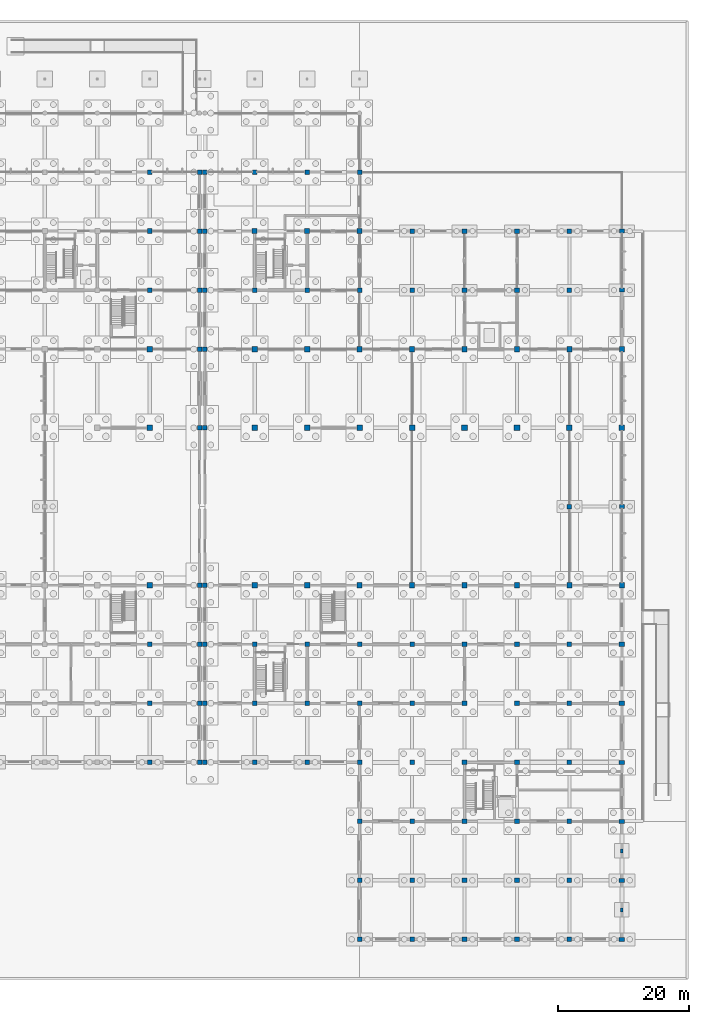
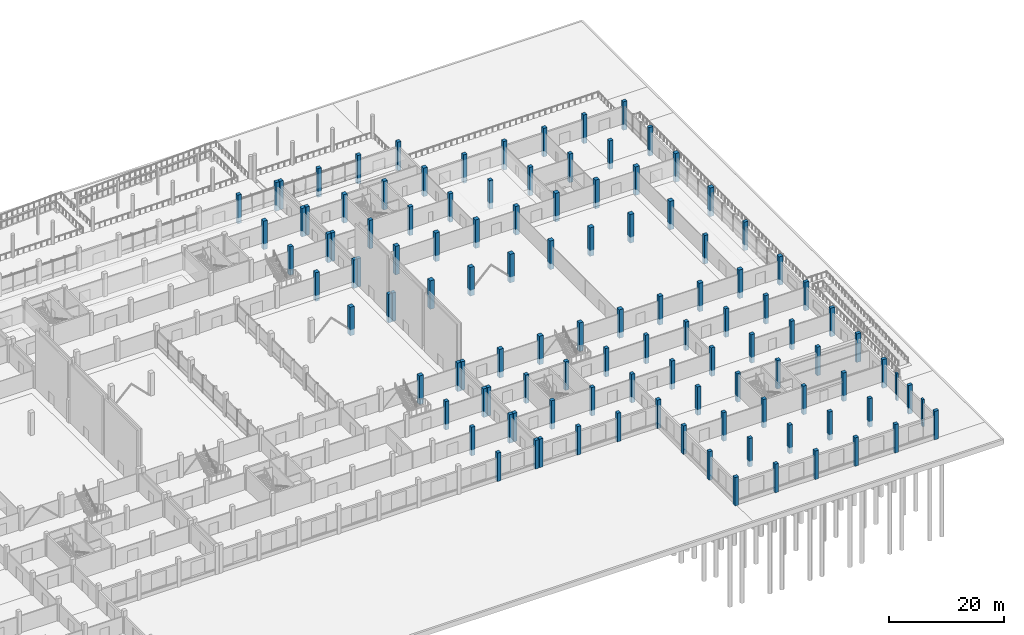
# One storey, part 14 of 72: 116 columns.
"""IFC4 building model written with IfcOpenShell, lengths in metres."""

import ifcopenshell
import ifcopenshell.guid

model = None  # the IFC model being written
_history = None  # IfcOwnerHistory: only IFC2X3 demands one
_inside = {}  # id of a spatial element -> (the spatial element, [elements in it])
_under = {}  # id of a project, library or spatial element -> (it, [spatial elements below it])
_declared = {}  # id of a project -> (the project, [libraries it declares])
_typed = {}  # id of a type object -> (the type object, [elements of that type])
_made_of = {}  # id of a material, layer set ... -> (it, [elements and type objects made of it])


def new_model(schema):
    """Start an empty IFC model of exactly this schema.

    Asked for "IFC4X3", IfcOpenShell would pick the latest addendum, in which some entities
    have other attributes; the version numbers below select the first issue.
    IFC2X3 requires an IfcOwnerHistory on every rooted entity: one is made here for all.
    """
    global model, _history
    if schema == "IFC4X3":
        model = ifcopenshell.file(schema_version=(4, 3, 0, 0))
    else:
        model = ifcopenshell.file(schema=schema)
    _inside.clear()
    _under.clear()
    _declared.clear()
    _typed.clear()
    _made_of.clear()
    _history = None
    if model.schema == "IFC2X3":
        org = make("IfcOrganization", Name="unknown")
        user = make(
            "IfcPersonAndOrganization",
            ThePerson=make("IfcPerson", FamilyName="unknown"),
            TheOrganization=org,
        )
        app = make(
            "IfcApplication",
            ApplicationDeveloper=org,
            Version="unknown",
            ApplicationFullName="unknown",
            ApplicationIdentifier="unknown",
        )
        _history = make(
            "IfcOwnerHistory",
            OwningUser=user,
            OwningApplication=app,
            ChangeAction="ADDED",
            CreationDate=0,
        )
    return model


def make(cls, **values):
    """One entity of the class cls with the attributes given. An attribute that is None is left unset."""
    return model.create_entity(
        cls, **{name: value for name, value in values.items() if value is not None}
    )


def rooted(cls, **values):
    """An entity with a GlobalId (a new one), such as an element, a storey or a relation."""
    return make(cls, GlobalId=ifcopenshell.guid.new(), OwnerHistory=_history, **values)


def si_unit(unit_type, name, prefix=None):
    """IfcSIUnit, for example si_unit("LENGTHUNIT", "METRE", prefix="MILLI")."""
    return make("IfcSIUnit", UnitType=unit_type, Prefix=prefix, Name=name)


def assignment(units):
    """IfcUnitAssignment: the units of a project."""
    return None if units is None else make("IfcUnitAssignment", Units=units)


def point(xyz):
    """IfcCartesianPoint."""
    return None if xyz is None else make("IfcCartesianPoint", Coordinates=xyz)


def direction(xyz):
    """IfcDirection."""
    return None if xyz is None else make("IfcDirection", DirectionRatios=xyz)


def frame(location, z_axis=None, x_axis=None):
    """IfcAxis2Placement3D, a coordinate frame: its origin and axes. An axis left out is left unset."""
    return make(
        "IfcAxis2Placement3D",
        Location=point(location),
        Axis=direction(z_axis),
        RefDirection=direction(x_axis),
    )


def frame_2d(location, x_axis=None):
    """IfcAxis2Placement2D, a coordinate frame in the plane: its origin and x axis."""
    return make(
        "IfcAxis2Placement2D", Location=point(location), RefDirection=direction(x_axis)
    )


def origin():
    """The frame at (0, 0, 0) with its axes left unset."""
    return frame((0.0, 0.0, 0.0))


def origin_2d():
    """The frame at (0, 0) in the plane with its x axis left unset."""
    return frame_2d((0.0, 0.0))


def place(relative_to, where):
    """IfcLocalPlacement: puts the frame where relative to a parent placement (None: the world)."""
    return make(
        "IfcLocalPlacement", PlacementRelTo=relative_to, RelativePlacement=where
    )


def context(
    kind, dimensions, precision=None, world=None, true_north=None, identifier=None
):
    """IfcGeometricRepresentationContext, for example the 3D "Model" context."""
    return make(
        "IfcGeometricRepresentationContext",
        ContextIdentifier=identifier,
        ContextType=kind,
        CoordinateSpaceDimension=dimensions,
        Precision=precision,
        WorldCoordinateSystem=world,
        TrueNorth=true_north,
    )


def subcontext(parent, identifier, kind, view, scale=None):
    """IfcGeometricRepresentationSubContext, for example "Body" below "Model"."""
    return make(
        "IfcGeometricRepresentationSubContext",
        ContextIdentifier=identifier,
        ContextType=kind,
        ParentContext=parent,
        TargetScale=scale,
        TargetView=view,
    )


def project(units=None, contexts=None):
    """IfcProject with its units and contexts."""
    return rooted(
        "IfcProject",
        Name="project",
        RepresentationContexts=contexts,
        UnitsInContext=assignment(units),
    )


def spatial(cls, under=None, at=None, **own):
    """A site, building, storey or space (cls), placed at a placement, below another one or the project."""
    s = rooted(cls, ObjectPlacement=at, **own)
    if under is not None:
        _under.setdefault(under.id(), (under, []))[1].append(s)
    return s


def profile(cls, at=None, kind="AREA", **sizes):
    """A parametric profile (cls). Its sizes go by their IFC names, for example OverallWidth=200.0."""
    return make(cls, ProfileType=kind, Position=at, **sizes)


def rectangle(**sizes):
    """IfcRectangleProfileDef."""
    return profile("IfcRectangleProfileDef", **sizes)


def extrude(swept, where, along, depth):
    """IfcExtrudedAreaSolid: the profile swept, set in the frame where, extruded along a direction by depth."""
    return make(
        "IfcExtrudedAreaSolid",
        SweptArea=swept,
        Position=where,
        ExtrudedDirection=direction(along),
        Depth=depth,
    )


def shape(context_of_items, identifier, shape_type, items):
    """IfcShapeRepresentation: the items that make up one representation, for example the "Body"."""
    return make(
        "IfcShapeRepresentation",
        ContextOfItems=context_of_items,
        RepresentationIdentifier=identifier,
        RepresentationType=shape_type,
        Items=items,
    )


def material(Name=None, Category=None):
    """IfcMaterial."""
    return make("IfcMaterial", Name=Name, Category=Category)


def material_profile(
    of_material, cross_section, Name=None, Category=None, Priority=None
):
    """IfcMaterialProfile: a cross section and its material."""
    return make(
        "IfcMaterialProfile",
        Name=Name,
        Material=of_material,
        Profile=cross_section,
        Priority=Priority,
        Category=Category,
    )


def profile_set(profiles, Name=None, composite=None):
    """IfcMaterialProfileSet."""
    return make(
        "IfcMaterialProfileSet",
        Name=Name,
        MaterialProfiles=profiles,
        CompositeProfile=composite,
    )


def made_of(thing, what):
    """Note that an element or type object is made of a material, layer set ...; save() writes the relation."""
    if what is not None:
        _made_of.setdefault(what.id(), (what, []))[1].append(thing)
    return thing


def type_object(cls, material=None, **own):
    """A type object (cls), such as IfcWallType, which elements share."""
    return made_of(rooted(cls, **own), material)


def element(
    cls,
    number,
    at=None,
    inside=None,
    cuts=None,
    type_object=None,
    material=None,
    context=None,
    identifier="Body",
    shape_type=None,
    held_by="IfcProductDefinitionShape",
    body=None,
    shapes=None,
    **own,
):
    """One element of the class cls, such as IfcWall. Its Tag is "e" and its number.

    at: its placement. inside: the storey or other place that contains it. cuts: it is an
    opening in that element (IfcRelVoidsElement). A single representation is given by context,
    identifier, shape_type and body (its items); several are given by shapes. held_by: the class
    of the entity that holds the representations. save() writes the other relations.
    """
    e = rooted(cls, Tag="e%d" % number, ObjectPlacement=at, **own)
    if body is not None:
        shapes = [shape(context, identifier, shape_type, body)]
    if shapes is not None:
        e.Representation = make(held_by, Representations=shapes)
    if inside is not None:
        _inside.setdefault(inside.id(), (inside, []))[1].append(e)
    if cuts is not None:
        rooted(
            "IfcRelVoidsElement", RelatingBuildingElement=cuts, RelatedOpeningElement=e
        )
    if type_object is not None:
        _typed.setdefault(type_object.id(), (type_object, []))[1].append(e)
    return made_of(e, material)


def aggregate(whole, parts):
    """IfcRelAggregates: a whole, such as a stair, and the parts it consists of."""
    return rooted("IfcRelAggregates", RelatingObject=whole, RelatedObjects=parts)


def save(model, path):
    """Write the relations noted so far, then the file.

    IfcRelAggregates (storeys below a building ...), IfcRelContainedInSpatialStructure (elements
    in a storey), IfcRelDefinesByType, IfcRelAssociatesMaterial and IfcRelDeclares: one each for
    every whole, place, type object, material and project.
    """
    for whole, parts in _under.values():
        aggregate(whole, parts)
    for where, things in _inside.values():
        rooted(
            "IfcRelContainedInSpatialStructure",
            RelatedElements=things,
            RelatingStructure=where,
        )
    for kind, things in _typed.values():
        rooted("IfcRelDefinesByType", RelatedObjects=things, RelatingType=kind)
    for what, things in _made_of.values():
        rooted("IfcRelAssociatesMaterial", RelatedObjects=things, RelatingMaterial=what)
    for by, libraries in _declared.values():
        rooted("IfcRelDeclares", RelatingContext=by, RelatedDefinitions=libraries)
    model.write(path)


model = new_model("IFC4")

# Units and contexts
model_context = context("Model", 3, precision=1e-05, world=origin(), true_north=direction((0.0, 1.0)))
body_context = subcontext(model_context, "Body", "Model", "MODEL_VIEW")
ifc_project = project(units=[si_unit("LENGTHUNIT", "METRE"), si_unit("AREAUNIT", "SQUARE_METRE"), si_unit("VOLUMEUNIT", "CUBIC_METRE"), si_unit("PLANEANGLEUNIT", "RADIAN"), si_unit("MASSUNIT", "GRAM", prefix="KILO"), si_unit("THERMODYNAMICTEMPERATUREUNIT", "KELVIN"), si_unit("POWERUNIT", "WATT")], contexts=[model_context])

# Site, building, storey
site_placement = place(None, origin())
site = spatial("IfcSite", under=ifc_project, at=site_placement, CompositionType="ELEMENT")
building_placement = place(site_placement, origin())
building = spatial("IfcBuilding", under=site, at=building_placement, Name="Kronsvod Quay Wholesale Market", CompositionType="ELEMENT")
storey_placement = place(building_placement, origin())
storey = spatial("IfcBuildingStorey", under=building, at=storey_placement, Name="L00", CompositionType="ELEMENT", Elevation=0.0)

# Columns
ifc_material_1 = material(Name="Precast concrete C40/50", Category="concrete")
ifc_material_profile_1 = material_profile(ifc_material_1, rectangle(XDim=0.699951171875, YDim=0.699951171875, at=origin_2d()), Name="PCC700x700")
ifc_profile_set_1 = profile_set([ifc_material_profile_1], Name="Precast concrete C40/50")
column_type_1 = type_object("IfcColumnType", Name="Col_PCC700x700", PredefinedType="COLUMN", material=ifc_profile_set_1)
for number, where, z_axis, x_axis, name in (
    (1, (120.0, 27.0, -1.25), (0.0, 0.0, 1.0), (1.0, 0.0, 0.0), "COLG-L00-1200-270"),
    (2, (120.0, 36.0, -1.25), (0.0, 0.0, 1.0), (1.0, 0.0, 0.0), "COLG-L00-1200-360"),
    (3, (120.0, 45.0, -1.25), (0.0, 0.0, 1.0), (1.0, 0.0, 0.0), "COLG-L00-1200-450"),
    (4, (120.0, 99.0, -1.25), (0.0, 0.0, 1.0), (1.0, 0.0, 0.0), "COLG-L00-1200-990"),
    (5, (120.0, 117.0, -1.25), (0.0, 0.0, 1.0), (1.0, 0.0, 0.0), "COLG-L00-1200-1170"),
    (6, (127.60009765625, 27.0, -1.25), (0.0, 0.0, 1.0), (1.0, 0.0, 0.0), "COLG-L00-1276-270"),
    (7, (127.60009765625, 36.0, -1.25), (0.0, 0.0, 1.0), (1.0, 0.0, 0.0), "COLG-L00-1276-360"),
    (8, (127.60009765625, 45.0, -1.25), (0.0, 0.0, 1.0), (1.0, 0.0, 0.0), "COLG-L00-1276-450"),
    (9, (127.60009765625, 54.0, -1.25), (0.0, 0.0, 1.0), (1.0, 0.0, 0.0), "COLG-L00-1276-540"),
    (10, (127.60009765625, 78.0, -1.25), (0.0, 0.0, 1.0), (1.0, 0.0, 0.0), "COLG-L00-1276-780"),
    (11, (127.60009765625, 90.0, -1.25), (0.0, 0.0, 1.0), (1.0, 0.0, 0.0), "COLG-L00-1276-900"),
    (12, (127.60009765625, 99.0, -1.25), (0.0, 0.0, 1.0), (1.0, 0.0, 0.0), "COLG-L00-1276-990"),
    (13, (127.60009765625, 108.0, -1.25), (0.0, 0.0, 1.0), (1.0, 0.0, 0.0), "COLG-L00-1276-1080"),
    (14, (127.60009765625, 117.0, -1.25), (0.0, 0.0, 1.0), (1.0, 0.0, 0.0), "COLG-L00-1276-1170"),
    (15, (128.39990234375, 27.0, -1.25), (0.0, 0.0, 1.0), (1.0, 0.0, 0.0), "COLG-L00-1284-270"),
    (16, (128.39990234375, 36.0, -1.25), (0.0, 0.0, 1.0), (1.0, 0.0, 0.0), "COLG-L00-1284-360"),
    (17, (128.39990234375, 45.0, -1.25), (0.0, 0.0, 1.0), (1.0, 0.0, 0.0), "COLG-L00-1284-450"),
    (18, (128.39990234375, 54.0, -1.25), (0.0, 0.0, 1.0), (1.0, 0.0, 0.0), "COLG-L00-1284-540"),
    (19, (128.39990234375, 78.0, -1.25), (0.0, 0.0, 1.0), (1.0, 0.0, 0.0), "COLG-L00-1284-780"),
    (20, (128.39990234375, 90.0, -1.25), (0.0, 0.0, 1.0), (1.0, 0.0, 0.0), "COLG-L00-1284-900"),
    (21, (128.39990234375, 99.0, -1.25), (0.0, 0.0, 1.0), (1.0, 0.0, 0.0), "COLG-L00-1284-990"),
    (22, (128.39990234375, 108.0, -1.25), (0.0, 0.0, 1.0), (1.0, 0.0, 0.0), "COLG-L00-1284-1080"),
    (23, (128.39990234375, 117.0, -1.25), (0.0, 0.0, 1.0), (1.0, 0.0, 0.0), "COLG-L00-1284-1170"),
    (24, (136.0, 27.0, -1.25), (0.0, 0.0, 1.0), (1.0, 0.0, 0.0), "COLG-L00-1360-270"),
    (25, (136.0, 36.0, -1.25), (0.0, 0.0, 1.0), (1.0, 0.0, 0.0), "COLG-L00-1360-360"),
    (26, (136.0, 45.0, -1.25), (0.0, 0.0, 1.0), (1.0, 0.0, 0.0), "COLG-L00-1360-450"),
    (27, (136.0, 99.0, -1.25), (0.0, 0.0, 1.0), (1.0, 0.0, 0.0), "COLG-L00-1360-990"),
    (28, (136.0, 117.0, -1.25), (0.0, 0.0, 1.0), (1.0, 0.0, 0.0), "COLG-L00-1360-1170"),
    (29, (144.0, 27.0, -1.25), (0.0, 0.0, 1.0), (1.0, 0.0, 0.0), "COLG-L00-1440-270"),
    (30, (144.0, 36.0, -1.25), (0.0, 0.0, 1.0), (1.0, 0.0, 0.0), "COLG-L00-1440-360"),
    (31, (144.0, 45.0, -1.25), (0.0, 0.0, 1.0), (1.0, 0.0, 0.0), "COLG-L00-1440-450"),
    (32, (144.0, 99.0, -1.25), (0.0, 0.0, 1.0), (1.0, 0.0, 0.0), "COLG-L00-1440-990"),
    (33, (144.0, 117.0, -1.25), (0.0, 0.0, 1.0), (1.0, 0.0, 0.0), "COLG-L00-1440-1170"),
    (34, (152.0, 0.0, -1.25), (0.0, 0.0, 1.0), (1.0, 0.0, 0.0), "COLG-L00-1520-0"),
    (35, (152.0, 9.0, -1.25), (0.0, 0.0, 1.0), (1.0, 0.0, 0.0), "COLG-L00-1520-90"),
    (36, (152.0, 18.0, -1.25), (0.0, 0.0, 1.0), (1.0, 0.0, 0.0), "COLG-L00-1520-180"),
    (37, (152.0, 27.0, -1.25), (0.0, 0.0, 1.0), (1.0, 0.0, 0.0), "COLG-L00-1520-270"),
    (38, (152.0, 36.0, -1.25), (0.0, 0.0, 1.0), (1.0, 0.0, 0.0), "COLG-L00-1520-360"),
    (39, (152.0, 45.0, -1.25), (0.0, 0.0, 1.0), (1.0, 0.0, 0.0), "COLG-L00-1520-450"),
    (40, (152.0, 99.0, -1.25), (0.0, 0.0, 1.0), (1.0, 0.0, 0.0), "COLG-L00-1520-990"),
    (41, (152.0, 117.0, -1.25), (0.0, 0.0, 1.0), (1.0, 0.0, 0.0), "COLG-L00-1520-1170"),
    (42, (160.0, 0.0, -1.25), (0.0, 0.0, 1.0), (1.0, 0.0, 0.0), "COLG-L00-1600-0"),
    (43, (160.0, 9.0, -1.25), (0.0, 0.0, 1.0), (1.0, 0.0, 0.0), "COLG-L00-1600-90"),
    (44, (160.0, 18.0, -1.25), (0.0, 0.0, 1.0), (1.0, 0.0, 0.0), "COLG-L00-1600-180"),
    (45, (160.0, 27.0, -1.25), (0.0, 0.0, 1.0), (1.0, 0.0, 0.0), "COLG-L00-1600-270"),
    (46, (160.0, 36.0, -1.25), (0.0, 0.0, 1.0), (1.0, 0.0, 0.0), "COLG-L00-1600-360"),
    (47, (160.0, 45.0, -1.25), (0.0, 0.0, 1.0), (1.0, 0.0, 0.0), "COLG-L00-1600-450"),
    (48, (160.0, 99.0, -1.25), (0.0, 0.0, 1.0), (1.0, 0.0, 0.0), "COLG-L00-1600-990"),
    (49, (160.0, 108.0, -1.25), (0.0, 0.0, 1.0), (1.0, 0.0, 0.0), "COLG-L00-1600-1080"),
    (50, (168.0, 0.0, -1.25), (0.0, 0.0, 1.0), (1.0, 0.0, 0.0), "COLG-L00-1680-0"),
    (51, (168.0, 9.0, -1.25), (0.0, 0.0, 1.0), (1.0, 0.0, 0.0), "COLG-L00-1680-90"),
    (52, (168.0, 18.0, -1.25), (0.0, 0.0, 1.0), (1.0, 0.0, 0.0), "COLG-L00-1680-180"),
    (53, (168.0, 27.0, -1.25), (0.0, 0.0, 1.0), (1.0, 0.0, 0.0), "COLG-L00-1680-270"),
    (54, (168.0, 36.0, -1.25), (0.0, 0.0, 1.0), (1.0, 0.0, 0.0), "COLG-L00-1680-360"),
    (55, (168.0, 45.0, -1.25), (0.0, 0.0, 1.0), (1.0, 0.0, 0.0), "COLG-L00-1680-450"),
    (56, (168.0, 99.0, -1.25), (0.0, 0.0, 1.0), (1.0, 0.0, 0.0), "COLG-L00-1680-990"),
    (57, (168.0, 108.0, -1.25), (0.0, 0.0, 1.0), (1.0, 0.0, 0.0), "COLG-L00-1680-1080"),
    (58, (176.0, 0.0, -1.25), (0.0, 0.0, 1.0), (1.0, 0.0, 0.0), "COLG-L00-1760-0"),
    (59, (176.0, 9.0, -1.25), (0.0, 0.0, 1.0), (1.0, 0.0, 0.0), "COLG-L00-1760-90"),
    (60, (176.0, 18.0, -1.25), (0.0, 0.0, 1.0), (1.0, 0.0, 0.0), "COLG-L00-1760-180"),
    (61, (176.0, 27.0, -1.25), (0.0, 0.0, 1.0), (1.0, 0.0, 0.0), "COLG-L00-1760-270"),
    (62, (176.0, 36.0, -1.25), (0.0, 0.0, 1.0), (1.0, 0.0, 0.0), "COLG-L00-1760-360"),
    (63, (176.0, 45.0, -1.25), (0.0, 0.0, 1.0), (1.0, 0.0, 0.0), "COLG-L00-1760-450"),
    (64, (176.0, 99.0, -1.25), (0.0, 0.0, 1.0), (1.0, 0.0, 0.0), "COLG-L00-1760-990"),
    (65, (176.0, 108.0, -1.25), (0.0, 0.0, 1.0), (1.0, 0.0, 0.0), "COLG-L00-1760-1080"),
    (66, (184.0, 0.0, -1.25), (0.0, 0.0, 1.0), (1.0, 0.0, 0.0), "COLG-L00-1840-0"),
    (67, (184.0, 9.0, -1.25), (0.0, 0.0, 1.0), (1.0, 0.0, 0.0), "COLG-L00-1840-90"),
    (68, (184.0, 18.0, -1.25), (0.0, 0.0, 1.0), (1.0, 0.0, 0.0), "COLG-L00-1840-180"),
    (69, (184.0, 27.0, -1.25), (0.0, 0.0, 1.0), (1.0, 0.0, 0.0), "COLG-L00-1840-270"),
    (70, (184.0, 36.0, -1.25), (0.0, 0.0, 1.0), (1.0, 0.0, 0.0), "COLG-L00-1840-360"),
    (71, (184.0, 45.0, -1.25), (0.0, 0.0, 1.0), (1.0, 0.0, 0.0), "COLG-L00-1840-450"),
    (72, (184.0, 66.0, -1.25), (0.0, 0.0, 1.0), (1.0, 0.0, 0.0), "COLG-L00-1840-660"),
    (73, (184.0, 99.0, -1.25), (0.0, 0.0, 1.0), (1.0, 0.0, 0.0), "COLG-L00-1840-990"),
    (74, (184.0, 108.0, -1.25), (0.0, 0.0, 1.0), (1.0, 0.0, 0.0), "COLG-L00-1840-1080"),
):
    element("IfcColumn", number, at=place(storey_placement, frame(where, z_axis=z_axis, x_axis=x_axis)), inside=storey, type_object=column_type_1, Name=name, PredefinedType="COLUMN", context=body_context, shape_type="SweptSolid", body=[
        extrude(rectangle(XDim=0.699951171875, YDim=0.699951171875, at=origin_2d()), origin(), (0.0, 0.0, 1.0), 6.050048828125),
    ])
ifc_material_2 = material(Name="Precast concrete C40/50", Category="concrete")
ifc_material_profile_2 = material_profile(ifc_material_2, rectangle(XDim=0.75, YDim=0.75, at=origin_2d()), Name="COL-07")
ifc_profile_set_2 = profile_set([ifc_material_profile_2], Name="Precast concrete C40/50")
column_type_2 = type_object("IfcColumnType", Name="Col_PCC750x750", PredefinedType="COLUMN", material=ifc_profile_set_2)
for number, where, z_axis, x_axis, name in (
    (75, (120.0, 108.0, -1.25), (0.0, 0.0, 1.0), (1.0, 0.0, 0.0), "COLG-L00-1200-1080"),
    (76, (136.0, 108.0, -1.25), (0.0, 0.0, 1.0), (1.0, 0.0, 0.0), "COLG-L00-1360-1080"),
    (77, (144.0, 108.0, -1.25), (0.0, 0.0, 1.0), (1.0, 0.0, 0.0), "COLG-L00-1440-1080"),
    (78, (152.0, 108.0, -1.25), (0.0, 0.0, 1.0), (1.0, 0.0, 0.0), "COLG-L00-1520-1080"),
):
    element("IfcColumn", number, at=place(storey_placement, frame(where, z_axis=z_axis, x_axis=x_axis)), inside=storey, type_object=column_type_2, Name=name, PredefinedType="COLUMN", context=body_context, shape_type="SweptSolid", body=[
        extrude(rectangle(XDim=0.75, YDim=0.75, at=origin_2d()), origin(), (0.0, 0.0, 1.0), 6.050048828125),
    ])
ifc_material_3 = material(Name="Precast concrete C40/50", Category="concrete")
ifc_material_profile_3 = material_profile(ifc_material_3, rectangle(XDim=0.800048828125, YDim=0.60009765625, at=origin_2d()), Name="PCC800x600")
ifc_profile_set_3 = profile_set([ifc_material_profile_3], Name="Precast concrete C40/50")
column_type_3 = type_object("IfcColumnType", Name="Col_PCC800x600", PredefinedType="COLUMN", material=ifc_profile_set_3)
for number, where, z_axis, x_axis, name in (
    (79, (192.0, 66.0, -1.25), (0.0, 0.0, 1.0), (1.0, 0.0, 0.0), "COLG-L00-1920-660"),
    (80, (192.0, 99.0, -1.25), (0.0, 0.0, 1.0), (1.0, 0.0, 0.0), "COLG-L00-1920-990"),
    (81, (192.0, 108.0, -1.25), (0.0, 0.0, 1.0), (1.0, 0.0, 0.0), "COLG-L00-1920-1080"),
):
    element("IfcColumn", number, at=place(storey_placement, frame(where, z_axis=z_axis, x_axis=x_axis)), inside=storey, type_object=column_type_3, Name=name, PredefinedType="COLUMN", context=body_context, shape_type="SweptSolid", body=[
        extrude(rectangle(XDim=0.800048828125, YDim=0.60009765625, at=origin_2d()), origin(), (0.0, 0.0, 1.0), 6.050048828125),
    ])
ifc_material_4 = material(Name="Precast concrete C40/50", Category="concrete")
ifc_material_profile_4 = material_profile(ifc_material_4, rectangle(XDim=0.800048828125, YDim=0.800048828125, at=origin_2d()), Name="PCC800x800")
ifc_profile_set_4 = profile_set([ifc_material_profile_4], Name="Precast concrete C40/50")
column_type_4 = type_object("IfcColumnType", Name="Col_PCC800x800", PredefinedType="COLUMN", material=ifc_profile_set_4)
for number, where, z_axis, x_axis, name in (
    (82, (120.0, 54.0, -1.25), (0.0, 0.0, 1.0), (1.0, 0.0, 0.0), "COLG-L00-1200-540"),
    (83, (120.0, 90.0, -1.25), (0.0, 0.0, 1.0), (1.0, 0.0, 0.0), "COLG-L00-1200-900"),
    (84, (136.0, 54.0, -1.25), (0.0, 0.0, 1.0), (1.0, 0.0, 0.0), "COLG-L00-1360-540"),
    (85, (136.0, 90.0, -1.25), (0.0, 0.0, 1.0), (1.0, 0.0, 0.0), "COLG-L00-1360-900"),
    (86, (144.0, 54.0, -1.25), (0.0, 0.0, 1.0), (1.0, 0.0, 0.0), "COLG-L00-1440-540"),
    (87, (144.0, 90.0, -1.25), (0.0, 0.0, 1.0), (1.0, 0.0, 0.0), "COLG-L00-1440-900"),
    (88, (152.0, 54.0, -1.25), (0.0, 0.0, 1.0), (1.0, 0.0, 0.0), "COLG-L00-1520-540"),
    (89, (152.0, 90.0, -1.25), (0.0, 0.0, 1.0), (1.0, 0.0, 0.0), "COLG-L00-1520-900"),
    (90, (160.0, 54.0, -1.25), (0.0, 0.0, 1.0), (1.0, 0.0, 0.0), "COLG-L00-1600-540"),
    (91, (160.0, 90.0, -1.25), (0.0, 0.0, 1.0), (1.0, 0.0, 0.0), "COLG-L00-1600-900"),
    (92, (168.0, 54.0, -1.25), (0.0, 0.0, 1.0), (1.0, 0.0, 0.0), "COLG-L00-1680-540"),
    (93, (168.0, 90.0, -1.25), (0.0, 0.0, 1.0), (1.0, 0.0, 0.0), "COLG-L00-1680-900"),
    (94, (176.0, 54.0, -1.25), (0.0, 0.0, 1.0), (1.0, 0.0, 0.0), "COLG-L00-1760-540"),
    (95, (176.0, 90.0, -1.25), (0.0, 0.0, 1.0), (1.0, 0.0, 0.0), "COLG-L00-1760-900"),
    (96, (184.0, 54.0, -1.25), (0.0, 0.0, 1.0), (1.0, 0.0, 0.0), "COLG-L00-1840-540"),
    (97, (184.0, 90.0, -1.25), (0.0, 0.0, 1.0), (1.0, 0.0, 0.0), "COLG-L00-1840-900"),
    (98, (192.0, 54.0, -1.25), (0.0, 0.0, 1.0), (1.0, 0.0, 0.0), "COLG-L00-1920-540"),
    (99, (192.0, 90.0, -1.25), (0.0, 0.0, 1.0), (1.0, 0.0, 0.0), "COLG-L00-1920-900"),
):
    element("IfcColumn", number, at=place(storey_placement, frame(where, z_axis=z_axis, x_axis=x_axis)), inside=storey, type_object=column_type_4, Name=name, PredefinedType="COLUMN", context=body_context, shape_type="SweptSolid", body=[
        extrude(rectangle(XDim=0.800048828125, YDim=0.800048828125, at=origin_2d()), origin(), (0.0, 0.0, 1.0), 6.050048828125),
    ])
ifc_material_5 = material(Name="Precast concrete C40/50", Category="concrete")
ifc_material_profile_5 = material_profile(ifc_material_5, rectangle(XDim=0.820068359375, YDim=0.6201171875, at=origin_2d()), Name="COL-10")
ifc_profile_set_5 = profile_set([ifc_material_profile_5], Name="Precast concrete C40/50")
column_type_5 = type_object("IfcColumnType", Name="Col_PCC820x620", PredefinedType="COLUMN", material=ifc_profile_set_5)
for number, where, z_axis, x_axis, name in (
    (100, (192.0, 0.0, -1.25), (0.0, 0.0, 1.0), (1.0, 0.0, 0.0), "COLG-L00-1920-0"),
    (101, (192.0, 9.0, -1.25), (0.0, 0.0, 1.0), (1.0, 0.0, 0.0), "COLG-L00-1920-90"),
    (102, (192.0, 18.0, -1.25), (0.0, 0.0, 1.0), (1.0, 0.0, 0.0), "COLG-L00-1920-180"),
    (103, (192.0, 27.0, -1.25), (0.0, 0.0, 1.0), (1.0, 0.0, 0.0), "COLG-L00-1920-270"),
    (104, (192.0, 36.0, -1.25), (0.0, 0.0, 1.0), (1.0, 0.0, 0.0), "COLG-L00-1920-360"),
    (105, (192.0, 45.0, -1.25), (0.0, 0.0, 1.0), (1.0, 0.0, 0.0), "COLG-L00-1920-450"),
):
    element("IfcColumn", number, at=place(storey_placement, frame(where, z_axis=z_axis, x_axis=x_axis)), inside=storey, type_object=column_type_5, Name=name, PredefinedType="COLUMN", context=body_context, shape_type="SweptSolid", body=[
        extrude(rectangle(XDim=0.820068359375, YDim=0.6201171875, at=origin_2d()), origin(), (0.0, 0.0, 1.0), 6.050048828125),
    ])
ifc_material_6 = material(Name="Precast concrete C40/50", Category="concrete")
ifc_material_profile_6 = material_profile(ifc_material_6, rectangle(XDim=0.85009765625, YDim=0.85009765625, at=origin_2d()), Name="COL-06")
ifc_profile_set_6 = profile_set([ifc_material_profile_6], Name="Precast concrete C40/50")
column_type_6 = type_object("IfcColumnType", Name="Col_PCC850x850", PredefinedType="COLUMN", material=ifc_profile_set_6)
for number, where, z_axis, x_axis, name in (
    (106, (120.0, 78.0, -1.25), (0.0, 0.0, 1.0), (1.0, 0.0, 0.0), "COLG-L00-1200-780"),
    (107, (136.0, 78.0, -1.25), (0.0, 0.0, 1.0), (1.0, 0.0, 0.0), "COLG-L00-1360-780"),
    (108, (144.0, 78.0, -1.25), (0.0, 0.0, 1.0), (1.0, 0.0, 0.0), "COLG-L00-1440-780"),
    (109, (152.0, 78.0, -1.25), (0.0, 0.0, 1.0), (1.0, 0.0, 0.0), "COLG-L00-1520-780"),
    (110, (160.0, 78.0, -1.25), (0.0, 0.0, 1.0), (1.0, 0.0, 0.0), "COLG-L00-1600-780"),
    (111, (168.0, 78.0, -1.25), (0.0, 0.0, 1.0), (1.0, 0.0, 0.0), "COLG-L00-1680-780"),
    (112, (176.0, 78.0, -1.25), (0.0, 0.0, 1.0), (1.0, 0.0, 0.0), "COLG-L00-1760-780"),
    (113, (184.0, 78.0, -1.25), (0.0, 0.0, 1.0), (1.0, 0.0, 0.0), "COLG-L00-1840-780"),
    (114, (192.0, 78.0, -1.25), (0.0, 0.0, 1.0), (1.0, 0.0, 0.0), "COLG-L00-1920-780"),
):
    element("IfcColumn", number, at=place(storey_placement, frame(where, z_axis=z_axis, x_axis=x_axis)), inside=storey, type_object=column_type_6, Name=name, PredefinedType="COLUMN", context=body_context, shape_type="SweptSolid", body=[
        extrude(rectangle(XDim=0.85009765625, YDim=0.85009765625, at=origin_2d()), origin(), (0.0, 0.0, 1.0), 6.050048828125),
    ])
ifc_material_7 = material(Name="Precast concrete C40/50", Category="concrete")
ifc_material_profile_7 = material_profile(ifc_material_7, rectangle(XDim=0.39990234375, YDim=0.60009765625, at=origin_2d()), Name="PCPIL400x600")
ifc_profile_set_7 = profile_set([ifc_material_profile_7], Name="Precast concrete C40/50")
column_type_7 = type_object("IfcColumnType", Name="Col_Pilaster400x600", PredefinedType="PILASTER", material=ifc_profile_set_7)
for number, where, z_axis, x_axis, name in (
    (115, (192.0, 4.5, -1.25), (0.0, 0.0, 1.0), (1.0, 0.0, 0.0), "PIL-E-01"),
    (116, (192.0, 13.5, -1.25), (0.0, 0.0, 1.0), (1.0, 0.0, 0.0), "PIL-E-02"),
):
    element("IfcColumn", number, at=place(storey_placement, frame(where, z_axis=z_axis, x_axis=x_axis)), inside=storey, type_object=column_type_7, Name=name, PredefinedType="PILASTER", context=body_context, shape_type="SweptSolid", body=[
        extrude(rectangle(XDim=0.39990234375, YDim=0.60009765625, at=origin_2d()), origin(), (0.0, 0.0, 1.0), 5.699951171875),
    ])

save(model, "model.ifc")
